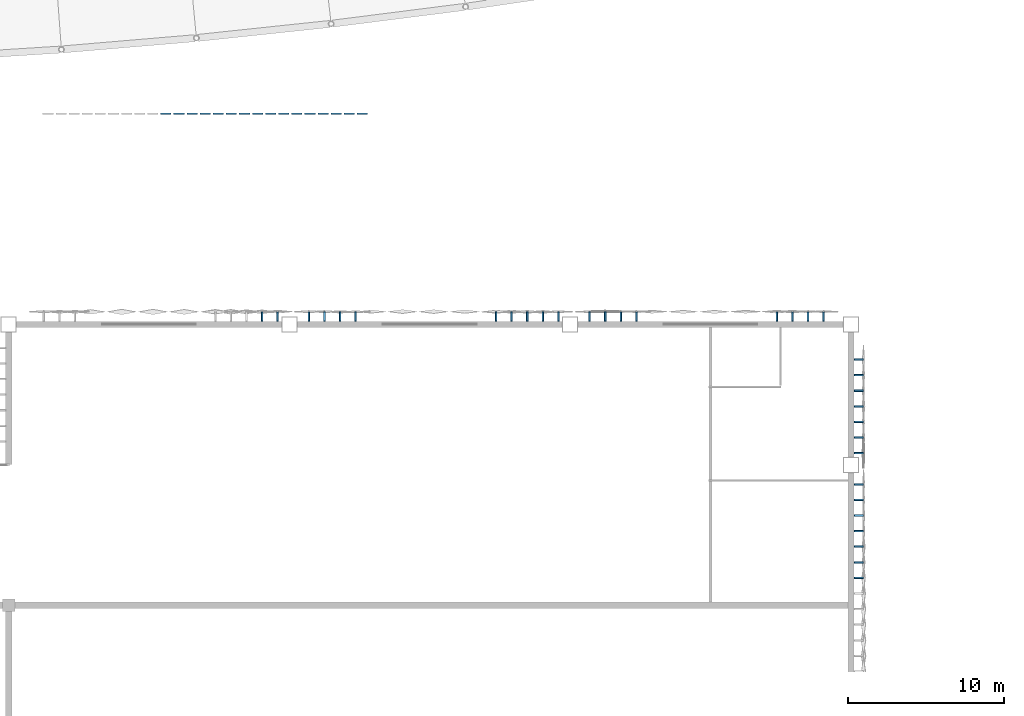
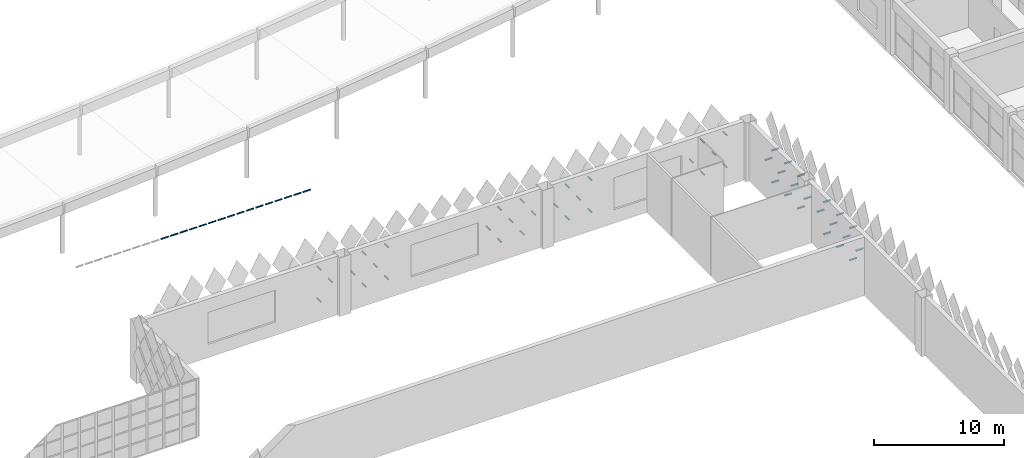
# One storey, part 148 of 185: 64 discrete accessories.
"""IFC4 building model written with IfcOpenShell, lengths in metres."""

from ifc_helpers import new_model, si_unit, direction, frame, origin, origin_2d, place, context, subcontext, project, spatial, polyline, hollow_rectangle, outline, extrude, material, material_profile, profile_set, type_object, element, save


model = new_model("IFC4")

# Units and contexts
model_context = context("Model", 3, precision=1e-05, world=origin(), true_north=direction((0.0, 1.0)))
body_context = subcontext(model_context, "Body", "Model", "MODEL_VIEW")
ifc_project = project(units=[si_unit("LENGTHUNIT", "METRE"), si_unit("AREAUNIT", "SQUARE_METRE"), si_unit("VOLUMEUNIT", "CUBIC_METRE"), si_unit("PLANEANGLEUNIT", "RADIAN"), si_unit("MASSUNIT", "GRAM", prefix="KILO")], contexts=[model_context])

# Site, building, storey
site_placement = place(None, origin())
site = spatial("IfcSite", under=ifc_project, at=site_placement, CompositionType="ELEMENT")
building_placement = place(site_placement, origin())
building = spatial("IfcBuilding", under=site, at=building_placement, Name="Opaline Strait Convention Centre", CompositionType="ELEMENT")
storey_placement = place(building_placement, frame((0.0, 0.0, 6.0)))
storey = spatial("IfcBuildingStorey", under=building, at=storey_placement, Name="L01", CompositionType="ELEMENT", Elevation=6.0)

# Discrete accessories
ifc_material = material(Name="Steel Q355B", Category="steel")
ifc_material_profile = material_profile(ifc_material, hollow_rectangle(XDim=0.10009765625, YDim=0.10009765625, WallThickness=0.006103515625, at=origin_2d()), Name="RHS 100x100x6")
ifc_profile_set = profile_set([ifc_material_profile], Name="Steel Q355B")
discrete_accessory_type_1 = type_object("IfcDiscreteAccessoryType", Name="Blade rail RHS 100x100x6", PredefinedType="BRACKET", material=ifc_profile_set)
for number, where, z_axis, x_axis, name in (
    (1, (216.739990234375, 166.5, 1.5), (1.0, 0.0, 0.0), (0.0, 1.0, 0.0), "Blade rail 1 E"),
    (2, (217.580078125, 166.5, 1.5), (1.0, 0.0, 0.0), (0.0, 1.0, 0.0), "Blade rail 1 E"),
):
    element("IfcDiscreteAccessory", number, at=place(storey_placement, frame(where, z_axis=z_axis, x_axis=x_axis)), inside=storey, type_object=discrete_accessory_type_1, Name=name, PredefinedType="BRACKET", context=body_context, shape_type="SweptSolid", body=[
        extrude(hollow_rectangle(XDim=0.10009765625, YDim=0.10009765625, WallThickness=0.006103515625, at=origin_2d()), origin(), (0.0, 0.0, 1.0), 0.679931640625),
    ])
discrete_accessory_1_placement = place(storey_placement, frame((218.419921875, 166.5, 1.5), z_axis=(1.0, 0.0, 0.0), x_axis=(0.0, 1.0, 0.0)))
element("IfcDiscreteAccessory", 3, at=discrete_accessory_1_placement, inside=storey, type_object=discrete_accessory_type_1, Name="Blade rail 1 E", PredefinedType="BRACKET", context=body_context, shape_type="SweptSolid", body=[
    extrude(hollow_rectangle(XDim=0.10009765625, YDim=0.10009765625, WallThickness=0.006103515625, at=origin_2d()), origin(), (0.0, 0.0, 1.0), 0.68017578125),
])
for number, where, z_axis, x_axis, name in (
    (4, (219.260009765625, 166.5, 1.5), (1.0, 0.0, 0.0), (0.0, 1.0, 0.0), "Blade rail 1 E"),
    (5, (220.10009765625, 166.5, 1.5), (1.0, 0.0, 0.0), (0.0, 1.0, 0.0), "Blade rail 1 E"),
):
    element("IfcDiscreteAccessory", number, at=place(storey_placement, frame(where, z_axis=z_axis, x_axis=x_axis)), inside=storey, type_object=discrete_accessory_type_1, Name=name, PredefinedType="BRACKET", context=body_context, shape_type="SweptSolid", body=[
        extrude(hollow_rectangle(XDim=0.10009765625, YDim=0.10009765625, WallThickness=0.006103515625, at=origin_2d()), origin(), (0.0, 0.0, 1.0), 0.679931640625),
    ])
discrete_accessory_2_placement = place(storey_placement, frame((220.93994140625, 166.5, 1.5), z_axis=(1.0, 0.0, 0.0), x_axis=(0.0, 1.0, 0.0)))
element("IfcDiscreteAccessory", 6, at=discrete_accessory_2_placement, inside=storey, type_object=discrete_accessory_type_1, Name="Blade rail 1 E", PredefinedType="BRACKET", context=body_context, shape_type="SweptSolid", body=[
    extrude(hollow_rectangle(XDim=0.10009765625, YDim=0.10009765625, WallThickness=0.006103515625, at=origin_2d()), origin(), (0.0, 0.0, 1.0), 0.68017578125),
])
for number, where, z_axis, x_axis, name in (
    (7, (221.780029296875, 166.5, 1.5), (1.0, 0.0, 0.0), (0.0, 1.0, 0.0), "Blade rail 1 E"),
    (8, (222.6201171875, 166.5, 1.5), (1.0, 0.0, 0.0), (0.0, 1.0, 0.0), "Blade rail 1 E"),
    (9, (223.4599609375, 166.5, 1.5), (1.0, 0.0, 0.0), (0.0, 1.0, 0.0), "Blade rail 1 E"),
    (10, (224.300048828125, 166.5, 1.5), (1.0, 0.0, 0.0), (0.0, 1.0, 0.0), "Blade rail 1 E"),
):
    element("IfcDiscreteAccessory", number, at=place(storey_placement, frame(where, z_axis=z_axis, x_axis=x_axis)), inside=storey, type_object=discrete_accessory_type_1, Name=name, PredefinedType="BRACKET", context=body_context, shape_type="SweptSolid", body=[
        extrude(hollow_rectangle(XDim=0.10009765625, YDim=0.10009765625, WallThickness=0.006103515625, at=origin_2d()), origin(), (0.0, 0.0, 1.0), 0.679931640625),
    ])
discrete_accessory_3_placement = place(storey_placement, frame((225.139892578125, 166.5, 1.5), z_axis=(1.0, 0.0, 0.0), x_axis=(0.0, 1.0, 0.0)))
element("IfcDiscreteAccessory", 11, at=discrete_accessory_3_placement, inside=storey, type_object=discrete_accessory_type_1, Name="Blade rail 1 E", PredefinedType="BRACKET", context=body_context, shape_type="SweptSolid", body=[
    extrude(hollow_rectangle(XDim=0.10009765625, YDim=0.10009765625, WallThickness=0.006103515625, at=origin_2d()), origin(), (0.0, 0.0, 1.0), 0.68017578125),
])
for number, where, z_axis, x_axis, name in (
    (12, (225.97998046875, 166.5, 1.5), (1.0, 0.0, 0.0), (0.0, 1.0, 0.0), "Blade rail 1 E"),
    (13, (226.820068359375, 166.5, 1.5), (1.0, 0.0, 0.0), (0.0, 1.0, 0.0), "Blade rail 1 E"),
):
    element("IfcDiscreteAccessory", number, at=place(storey_placement, frame(where, z_axis=z_axis, x_axis=x_axis)), inside=storey, type_object=discrete_accessory_type_1, Name=name, PredefinedType="BRACKET", context=body_context, shape_type="SweptSolid", body=[
        extrude(hollow_rectangle(XDim=0.10009765625, YDim=0.10009765625, WallThickness=0.006103515625, at=origin_2d()), origin(), (0.0, 0.0, 1.0), 0.679931640625),
    ])
discrete_accessory_4_placement = place(storey_placement, frame((227.659912109375, 166.5, 1.5), z_axis=(1.0, 0.0, 0.0), x_axis=(0.0, 1.0, 0.0)))
element("IfcDiscreteAccessory", 14, at=discrete_accessory_4_placement, inside=storey, type_object=discrete_accessory_type_1, Name="Blade rail 1 E", PredefinedType="BRACKET", context=body_context, shape_type="SweptSolid", body=[
    extrude(hollow_rectangle(XDim=0.10009765625, YDim=0.10009765625, WallThickness=0.006103515625, at=origin_2d()), origin(), (0.0, 0.0, 1.0), 0.68017578125),
])
for number, where, z_axis, x_axis, name in (
    (15, (228.5, 166.5, 1.5), (1.0, 0.0, 0.0), (0.0, 1.0, 0.0), "Blade rail 1 E"),
    (16, (229.340087890625, 166.5, 1.5), (1.0, 0.0, 0.0), (0.0, 1.0, 0.0), "Blade rail 1 E"),
):
    element("IfcDiscreteAccessory", number, at=place(storey_placement, frame(where, z_axis=z_axis, x_axis=x_axis)), inside=storey, type_object=discrete_accessory_type_1, Name=name, PredefinedType="BRACKET", context=body_context, shape_type="SweptSolid", body=[
        extrude(hollow_rectangle(XDim=0.10009765625, YDim=0.10009765625, WallThickness=0.006103515625, at=origin_2d()), origin(), (0.0, 0.0, 1.0), 0.679931640625),
    ])
discrete_accessory_type_2 = type_object("IfcDiscreteAccessoryType", Name="Tile bracket 100x100 steel", PredefinedType="BRACKET", material=ifc_material)
discrete_accessory_5_placement = place(storey_placement, frame((259.300048828125, 153.199951171875, 1.39208984375), z_axis=(-1.0, 0.0, 0.0), x_axis=(0.0, -1.0, 0.0)))
element("IfcDiscreteAccessory", 17, at=discrete_accessory_5_placement, inside=storey, type_object=discrete_accessory_type_2, Name="Tile bracket XT05 N", PredefinedType="BRACKET", context=body_context, shape_type="SweptSolid", body=[
    extrude(outline(polyline([(0.0, -0.050048828125), (0.0, 0.050048828125), (-0.602294921875, 0.050048828125), (-0.597900390625, -0.050048828125), (0.0, -0.050048828125)])), origin(), (0.0, 0.0, 1.0), 0.10009765625),
])
discrete_accessory_6_placement = place(storey_placement, frame((257.300048828125, 153.199951171875, 1.39208984375), z_axis=(-1.0, 0.0, 0.0), x_axis=(0.0, -1.0, 0.0)))
element("IfcDiscreteAccessory", 18, at=discrete_accessory_6_placement, inside=storey, type_object=discrete_accessory_type_2, Name="Tile bracket XT07 N", PredefinedType="BRACKET", context=body_context, shape_type="SweptSolid", body=[
    extrude(outline(polyline([(0.0, -0.050048828125), (0.0, 0.050048828125), (-0.60302734375, 0.050048828125), (-0.596923828125, -0.050048828125), (0.0, -0.050048828125)])), origin(), (0.0, 0.0, 1.0), 0.10009765625),
])
discrete_accessory_7_placement = place(storey_placement, frame((247.300048828125, 153.199951171875, 1.39208984375), z_axis=(-1.0, 0.0, 0.0), x_axis=(0.0, -1.0, 0.0)))
element("IfcDiscreteAccessory", 19, at=discrete_accessory_7_placement, inside=storey, type_object=discrete_accessory_type_2, Name="Tile bracket XT03 N", PredefinedType="BRACKET", context=body_context, shape_type="SweptSolid", body=[
    extrude(outline(polyline([(0.0, -0.050048828125), (0.0, 0.050048828125), (-0.601318359375, 0.050048828125), (-0.5986328125, -0.050048828125), (0.0, -0.050048828125)])), origin(), (0.0, 0.0, 1.0), 0.10009765625),
])
discrete_accessory_8_placement = place(storey_placement, frame((245.300048828125, 153.199951171875, 1.39208984375), z_axis=(-1.0, 0.0, 0.0), x_axis=(0.0, -1.0, 0.0)))
element("IfcDiscreteAccessory", 20, at=discrete_accessory_8_placement, inside=storey, type_object=discrete_accessory_type_2, Name="Tile bracket XT03 N", PredefinedType="BRACKET", context=body_context, shape_type="SweptSolid", body=[
    extrude(outline(polyline([(0.0, -0.050048828125), (0.0, 0.050048828125), (-0.5986328125, 0.050048828125), (-0.601318359375, -0.050048828125), (0.0, -0.050048828125)])), origin(), (0.0, 0.0, 1.0), 0.10009765625),
])
discrete_accessory_9_placement = place(storey_placement, frame((241.300048828125, 153.199951171875, 1.39208984375), z_axis=(-1.0, 0.0, 0.0), x_axis=(0.0, -1.0, 0.0)))
element("IfcDiscreteAccessory", 21, at=discrete_accessory_9_placement, inside=storey, type_object=discrete_accessory_type_2, Name="Tile bracket XT08 N", PredefinedType="BRACKET", context=body_context, shape_type="SweptSolid", body=[
    extrude(outline(polyline([(0.0, -0.050048828125), (0.0, 0.050048828125), (-0.596435546875, 0.050048828125), (-0.603515625, -0.050048828125), (0.0, -0.050048828125)])), origin(), (0.0, 0.0, 1.0), 0.10009765625),
])
discrete_accessory_10_placement = place(storey_placement, frame((239.300048828125, 153.199951171875, 1.39208984375), z_axis=(-1.0, 0.0, 0.0), x_axis=(0.0, -1.0, 0.0)))
element("IfcDiscreteAccessory", 22, at=discrete_accessory_10_placement, inside=storey, type_object=discrete_accessory_type_2, Name="Tile bracket XT10 N", PredefinedType="BRACKET", context=body_context, shape_type="SweptSolid", body=[
    extrude(outline(polyline([(0.0, -0.050048828125), (0.0, 0.050048828125), (-0.595703125, 0.050048828125), (-0.604248046875, -0.050048828125), (0.0, -0.050048828125)])), origin(), (0.0, 0.0, 1.0), 0.10009765625),
])
discrete_accessory_11_placement = place(storey_placement, frame((229.300048828125, 153.199951171875, 1.39208984375), z_axis=(-1.0, 0.0, 0.0), x_axis=(0.0, -1.0, 0.0)))
element("IfcDiscreteAccessory", 23, at=discrete_accessory_11_placement, inside=storey, type_object=discrete_accessory_type_2, Name="Tile bracket XT04 N", PredefinedType="BRACKET", context=body_context, shape_type="SweptSolid", body=[
    extrude(outline(polyline([(0.0, -0.050048828125), (0.0, 0.050048828125), (-0.59814453125, 0.050048828125), (-0.601806640625, -0.050048828125), (0.0, -0.050048828125)])), origin(), (0.0, 0.0, 1.0), 0.10009765625),
])
discrete_accessory_12_placement = place(storey_placement, frame((227.300048828125, 153.199951171875, 1.39208984375), z_axis=(-1.0, 0.0, 0.0), x_axis=(0.0, -1.0, 0.0)))
element("IfcDiscreteAccessory", 24, at=discrete_accessory_12_placement, inside=storey, type_object=discrete_accessory_type_2, Name="Tile bracket XT05 N", PredefinedType="BRACKET", context=body_context, shape_type="SweptSolid", body=[
    extrude(outline(polyline([(0.0, -0.050048828125), (0.0, 0.050048828125), (-0.602294921875, 0.050048828125), (-0.597900390625, -0.050048828125), (0.0, -0.050048828125)])), origin(), (0.0, 0.0, 1.0), 0.10009765625),
])
discrete_accessory_13_placement = place(storey_placement, frame((223.300048828125, 153.199951171875, 1.39208984375), z_axis=(-1.0, 0.0, 0.0), x_axis=(0.0, -1.0, 0.0)))
element("IfcDiscreteAccessory", 25, at=discrete_accessory_13_placement, inside=storey, type_object=discrete_accessory_type_2, Name="Tile bracket XT10 N", PredefinedType="BRACKET", context=body_context, shape_type="SweptSolid", body=[
    extrude(outline(polyline([(0.0, -0.050048828125), (0.0, 0.050048828125), (-0.604248046875, 0.050048828125), (-0.595703125, -0.050048828125), (0.0, -0.050048828125)])), origin(), (0.0, 0.0, 1.0), 0.10009765625),
])
discrete_accessory_14_placement = place(storey_placement, frame((258.300048828125, 153.199951171875, 2.89208984375), z_axis=(-1.0, 0.0, 0.0), x_axis=(0.0, -1.0, 0.0)))
element("IfcDiscreteAccessory", 26, at=discrete_accessory_14_placement, inside=storey, type_object=discrete_accessory_type_2, Name="Tile bracket XT05 N", PredefinedType="BRACKET", context=body_context, shape_type="SweptSolid", body=[
    extrude(outline(polyline([(0.0, -0.050048828125), (0.0, 0.050048828125), (-0.602294921875, 0.050048828125), (-0.597900390625, -0.050048828125), (0.0, -0.050048828125)])), origin(), (0.0, 0.0, 1.0), 0.10009765625),
])
discrete_accessory_15_placement = place(storey_placement, frame((256.300048828125, 153.199951171875, 2.89208984375), z_axis=(-1.0, 0.0, 0.0), x_axis=(0.0, -1.0, 0.0)))
element("IfcDiscreteAccessory", 27, at=discrete_accessory_15_placement, inside=storey, type_object=discrete_accessory_type_2, Name="Tile bracket XT07 N", PredefinedType="BRACKET", context=body_context, shape_type="SweptSolid", body=[
    extrude(outline(polyline([(0.0, -0.050048828125), (0.0, 0.050048828125), (-0.60302734375, 0.050048828125), (-0.596923828125, -0.050048828125), (0.0, -0.050048828125)])), origin(), (0.0, 0.0, 1.0), 0.10009765625),
])
discrete_accessory_16_placement = place(storey_placement, frame((246.300048828125, 153.199951171875, 2.89208984375), z_axis=(-1.0, 0.0, 0.0), x_axis=(0.0, -1.0, 0.0)))
element("IfcDiscreteAccessory", 28, at=discrete_accessory_16_placement, inside=storey, type_object=discrete_accessory_type_2, Name="Tile bracket XT03 N", PredefinedType="BRACKET", context=body_context, shape_type="SweptSolid", body=[
    extrude(outline(polyline([(0.0, -0.050048828125), (0.0, 0.050048828125), (-0.601318359375, 0.050048828125), (-0.5986328125, -0.050048828125), (0.0, -0.050048828125)])), origin(), (0.0, 0.0, 1.0), 0.10009765625),
])
discrete_accessory_17_placement = place(storey_placement, frame((244.300048828125, 153.199951171875, 2.89208984375), z_axis=(-1.0, 0.0, 0.0), x_axis=(0.0, -1.0, 0.0)))
element("IfcDiscreteAccessory", 29, at=discrete_accessory_17_placement, inside=storey, type_object=discrete_accessory_type_2, Name="Tile bracket XT04 N", PredefinedType="BRACKET", context=body_context, shape_type="SweptSolid", body=[
    extrude(outline(polyline([(0.0, -0.050048828125), (0.0, 0.050048828125), (-0.59814453125, 0.050048828125), (-0.601806640625, -0.050048828125), (0.0, -0.050048828125)])), origin(), (0.0, 0.0, 1.0), 0.10009765625),
])
discrete_accessory_18_placement = place(storey_placement, frame((242.300048828125, 153.199951171875, 2.89208984375), z_axis=(-1.0, 0.0, 0.0), x_axis=(0.0, -1.0, 0.0)))
element("IfcDiscreteAccessory", 30, at=discrete_accessory_18_placement, inside=storey, type_object=discrete_accessory_type_2, Name="Tile bracket XT05 N", PredefinedType="BRACKET", context=body_context, shape_type="SweptSolid", body=[
    extrude(outline(polyline([(0.0, -0.050048828125), (0.0, 0.050048828125), (-0.597900390625, 0.050048828125), (-0.602294921875, -0.050048828125), (0.0, -0.050048828125)])), origin(), (0.0, 0.0, 1.0), 0.10009765625),
])
discrete_accessory_19_placement = place(storey_placement, frame((240.300048828125, 153.199951171875, 2.89208984375), z_axis=(-1.0, 0.0, 0.0), x_axis=(0.0, -1.0, 0.0)))
element("IfcDiscreteAccessory", 31, at=discrete_accessory_19_placement, inside=storey, type_object=discrete_accessory_type_2, Name="Tile bracket XT08 N", PredefinedType="BRACKET", context=body_context, shape_type="SweptSolid", body=[
    extrude(outline(polyline([(0.0, -0.050048828125), (0.0, 0.050048828125), (-0.596435546875, 0.050048828125), (-0.603515625, -0.050048828125), (0.0, -0.050048828125)])), origin(), (0.0, 0.0, 1.0), 0.10009765625),
])
discrete_accessory_20_placement = place(storey_placement, frame((238.300048828125, 153.199951171875, 2.89208984375), z_axis=(-1.0, 0.0, 0.0), x_axis=(0.0, -1.0, 0.0)))
element("IfcDiscreteAccessory", 32, at=discrete_accessory_20_placement, inside=storey, type_object=discrete_accessory_type_2, Name="Tile bracket XT10 N", PredefinedType="BRACKET", context=body_context, shape_type="SweptSolid", body=[
    extrude(outline(polyline([(0.0, -0.050048828125), (0.0, 0.050048828125), (-0.595703125, 0.050048828125), (-0.604248046875, -0.050048828125), (0.0, -0.050048828125)])), origin(), (0.0, 0.0, 1.0), 0.10009765625),
])
discrete_accessory_21_placement = place(storey_placement, frame((228.300048828125, 153.199951171875, 2.89208984375), z_axis=(-1.0, 0.0, 0.0), x_axis=(0.0, -1.0, 0.0)))
element("IfcDiscreteAccessory", 33, at=discrete_accessory_21_placement, inside=storey, type_object=discrete_accessory_type_2, Name="Tile bracket XT05 N", PredefinedType="BRACKET", context=body_context, shape_type="SweptSolid", body=[
    extrude(outline(polyline([(0.0, -0.050048828125), (0.0, 0.050048828125), (-0.597900390625, 0.050048828125), (-0.602294921875, -0.050048828125), (0.0, -0.050048828125)])), origin(), (0.0, 0.0, 1.0), 0.10009765625),
])
discrete_accessory_22_placement = place(storey_placement, frame((226.300048828125, 153.199951171875, 2.89208984375), z_axis=(-1.0, 0.0, 0.0), x_axis=(0.0, -1.0, 0.0)))
element("IfcDiscreteAccessory", 34, at=discrete_accessory_22_placement, inside=storey, type_object=discrete_accessory_type_2, Name="Tile bracket XT05 N", PredefinedType="BRACKET", context=body_context, shape_type="SweptSolid", body=[
    extrude(outline(polyline([(0.0, -0.050048828125), (0.0, 0.050048828125), (-0.602294921875, 0.050048828125), (-0.597900390625, -0.050048828125), (0.0, -0.050048828125)])), origin(), (0.0, 0.0, 1.0), 0.10009765625),
])
discrete_accessory_23_placement = place(storey_placement, frame((224.300048828125, 153.199951171875, 2.89208984375), z_axis=(-1.0, 0.0, 0.0), x_axis=(0.0, -1.0, 0.0)))
element("IfcDiscreteAccessory", 35, at=discrete_accessory_23_placement, inside=storey, type_object=discrete_accessory_type_2, Name="Tile bracket XT07 N", PredefinedType="BRACKET", context=body_context, shape_type="SweptSolid", body=[
    extrude(outline(polyline([(0.0, -0.050048828125), (0.0, 0.050048828125), (-0.60302734375, 0.050048828125), (-0.596923828125, -0.050048828125), (0.0, -0.050048828125)])), origin(), (0.0, 0.0, 1.0), 0.10009765625),
])
discrete_accessory_24_placement = place(storey_placement, frame((259.300048828125, 153.199951171875, 4.39208984375), z_axis=(-1.0, 0.0, 0.0), x_axis=(0.0, -1.0, 0.0)))
element("IfcDiscreteAccessory", 36, at=discrete_accessory_24_placement, inside=storey, type_object=discrete_accessory_type_2, Name="Tile bracket XT03 N", PredefinedType="BRACKET", context=body_context, shape_type="SweptSolid", body=[
    extrude(outline(polyline([(0.0, -0.050048828125), (0.0, 0.050048828125), (-0.601318359375, 0.050048828125), (-0.5986328125, -0.050048828125), (0.0, -0.050048828125)])), origin(), (0.0, 0.0, 1.0), 0.10009765625),
])
for number, where, z_axis, x_axis, name in (
    (37, (257.300048828125, 153.199951171875, 4.39208984375), (-1.0, 0.0, 0.0), (0.0, -1.0, 0.0), "Tile bracket XT05 N"),
    (38, (247.300048828125, 153.199951171875, 4.39208984375), (-1.0, 0.0, 0.0), (0.0, -1.0, 0.0), "Tile bracket XT05 N"),
):
    element("IfcDiscreteAccessory", number, at=place(storey_placement, frame(where, z_axis=z_axis, x_axis=x_axis)), inside=storey, type_object=discrete_accessory_type_2, Name=name, PredefinedType="BRACKET", context=body_context, shape_type="SweptSolid", body=[
        extrude(outline(polyline([(0.0, -0.050048828125), (0.0, 0.050048828125), (-0.602294921875, 0.050048828125), (-0.597900390625, -0.050048828125), (0.0, -0.050048828125)])), origin(), (0.0, 0.0, 1.0), 0.10009765625),
    ])
discrete_accessory_25_placement = place(storey_placement, frame((245.300048828125, 153.199951171875, 4.39208984375), z_axis=(-1.0, 0.0, 0.0), x_axis=(0.0, -1.0, 0.0)))
element("IfcDiscreteAccessory", 39, at=discrete_accessory_25_placement, inside=storey, type_object=discrete_accessory_type_2, Name="Tile bracket XT03 N", PredefinedType="BRACKET", context=body_context, shape_type="SweptSolid", body=[
    extrude(outline(polyline([(0.0, -0.050048828125), (0.0, 0.050048828125), (-0.601318359375, 0.050048828125), (-0.5986328125, -0.050048828125), (0.0, -0.050048828125)])), origin(), (0.0, 0.0, 1.0), 0.10009765625),
])
discrete_accessory_26_placement = place(storey_placement, frame((241.300048828125, 153.199951171875, 4.39208984375), z_axis=(-1.0, 0.0, 0.0), x_axis=(0.0, -1.0, 0.0)))
element("IfcDiscreteAccessory", 40, at=discrete_accessory_26_placement, inside=storey, type_object=discrete_accessory_type_2, Name="Tile bracket XT05 N", PredefinedType="BRACKET", context=body_context, shape_type="SweptSolid", body=[
    extrude(outline(polyline([(0.0, -0.050048828125), (0.0, 0.050048828125), (-0.597900390625, 0.050048828125), (-0.602294921875, -0.050048828125), (0.0, -0.050048828125)])), origin(), (0.0, 0.0, 1.0), 0.10009765625),
])
discrete_accessory_27_placement = place(storey_placement, frame((239.300048828125, 153.199951171875, 4.39208984375), z_axis=(-1.0, 0.0, 0.0), x_axis=(0.0, -1.0, 0.0)))
element("IfcDiscreteAccessory", 41, at=discrete_accessory_27_placement, inside=storey, type_object=discrete_accessory_type_2, Name="Tile bracket XT08 N", PredefinedType="BRACKET", context=body_context, shape_type="SweptSolid", body=[
    extrude(outline(polyline([(0.0, -0.050048828125), (0.0, 0.050048828125), (-0.596435546875, 0.050048828125), (-0.603515625, -0.050048828125), (0.0, -0.050048828125)])), origin(), (0.0, 0.0, 1.0), 0.10009765625),
])
discrete_accessory_28_placement = place(storey_placement, frame((229.300048828125, 153.199951171875, 4.39208984375), z_axis=(-1.0, 0.0, 0.0), x_axis=(0.0, -1.0, 0.0)))
element("IfcDiscreteAccessory", 42, at=discrete_accessory_28_placement, inside=storey, type_object=discrete_accessory_type_2, Name="Tile bracket XT06 N", PredefinedType="BRACKET", context=body_context, shape_type="SweptSolid", body=[
    extrude(outline(polyline([(0.0, -0.050048828125), (0.0, 0.050048828125), (-0.597412109375, 0.050048828125), (-0.6025390625, -0.050048828125), (0.0, -0.050048828125)])), origin(), (0.0, 0.0, 1.0), 0.10009765625),
])
discrete_accessory_29_placement = place(storey_placement, frame((227.300048828125, 153.199951171875, 4.39208984375), z_axis=(-1.0, 0.0, 0.0), x_axis=(0.0, -1.0, 0.0)))
element("IfcDiscreteAccessory", 43, at=discrete_accessory_29_placement, inside=storey, type_object=discrete_accessory_type_2, Name="Tile bracket XT05 N", PredefinedType="BRACKET", context=body_context, shape_type="SweptSolid", body=[
    extrude(outline(polyline([(0.0, -0.050048828125), (0.0, 0.050048828125), (-0.597900390625, 0.050048828125), (-0.602294921875, -0.050048828125), (0.0, -0.050048828125)])), origin(), (0.0, 0.0, 1.0), 0.10009765625),
])
discrete_accessory_30_placement = place(storey_placement, frame((223.300048828125, 153.199951171875, 4.39208984375), z_axis=(-1.0, 0.0, 0.0), x_axis=(0.0, -1.0, 0.0)))
element("IfcDiscreteAccessory", 44, at=discrete_accessory_30_placement, inside=storey, type_object=discrete_accessory_type_2, Name="Tile bracket XT06 N", PredefinedType="BRACKET", context=body_context, shape_type="SweptSolid", body=[
    extrude(outline(polyline([(0.0, -0.050048828125), (0.0, 0.050048828125), (-0.6025390625, 0.050048828125), (-0.597412109375, -0.050048828125), (0.0, -0.050048828125)])), origin(), (0.0, 0.0, 1.0), 0.10009765625),
])
discrete_accessory_31_placement = place(storey_placement, frame((261.199951171875, 137.699951171875, 1.39208984375), z_axis=(0.0, 1.0, 0.0), x_axis=(-1.0, 0.0, 0.0)))
element("IfcDiscreteAccessory", 45, at=discrete_accessory_31_placement, inside=storey, type_object=discrete_accessory_type_2, Name="Tile bracket XT05 E", PredefinedType="BRACKET", context=body_context, shape_type="SweptSolid", body=[
    extrude(outline(polyline([(0.0, -0.050048828125), (0.0, 0.050048828125), (-0.602294921875, 0.050048828125), (-0.597900390625, -0.050048828125), (0.0, -0.050048828125)])), origin(), (0.0, 0.0, 1.0), 0.10009765625),
])
discrete_accessory_32_placement = place(storey_placement, frame((261.199951171875, 139.699951171875, 1.39208984375), z_axis=(0.0, 1.0, 0.0), x_axis=(-1.0, 0.0, 0.0)))
element("IfcDiscreteAccessory", 46, at=discrete_accessory_32_placement, inside=storey, type_object=discrete_accessory_type_2, Name="Tile bracket XT04 E", PredefinedType="BRACKET", context=body_context, shape_type="SweptSolid", body=[
    extrude(outline(polyline([(0.0, -0.050048828125), (0.0, 0.050048828125), (-0.601806640625, 0.050048828125), (-0.59814453125, -0.050048828125), (0.0, -0.050048828125)])), origin(), (0.0, 0.0, 1.0), 0.10009765625),
])
discrete_accessory_33_placement = place(storey_placement, frame((261.199951171875, 141.699951171875, 1.39208984375), z_axis=(0.0, 1.0, 0.0), x_axis=(-1.0, 0.0, 0.0)))
element("IfcDiscreteAccessory", 47, at=discrete_accessory_33_placement, inside=storey, type_object=discrete_accessory_type_2, Name="Tile bracket XT04 E", PredefinedType="BRACKET", context=body_context, shape_type="SweptSolid", body=[
    extrude(outline(polyline([(0.0, -0.050048828125), (0.0, 0.050048828125), (-0.59814453125, 0.050048828125), (-0.601806640625, -0.050048828125), (0.0, -0.050048828125)])), origin(), (0.0, 0.0, 1.0), 0.10009765625),
])
discrete_accessory_34_placement = place(storey_placement, frame((261.199951171875, 145.699951171875, 1.39208984375), z_axis=(0.0, 1.0, 0.0), x_axis=(-1.0, 0.0, 0.0)))
element("IfcDiscreteAccessory", 48, at=discrete_accessory_34_placement, inside=storey, type_object=discrete_accessory_type_2, Name="Tile bracket XT07 E", PredefinedType="BRACKET", context=body_context, shape_type="SweptSolid", body=[
    extrude(outline(polyline([(0.0, -0.050048828125), (0.0, 0.050048828125), (-0.596923828125, 0.050048828125), (-0.60302734375, -0.050048828125), (0.0, -0.050048828125)])), origin(), (0.0, 0.0, 1.0), 0.10009765625),
])
discrete_accessory_35_placement = place(storey_placement, frame((261.199951171875, 147.699951171875, 1.39208984375), z_axis=(0.0, 1.0, 0.0), x_axis=(-1.0, 0.0, 0.0)))
element("IfcDiscreteAccessory", 49, at=discrete_accessory_35_placement, inside=storey, type_object=discrete_accessory_type_2, Name="Tile bracket XT08 E", PredefinedType="BRACKET", context=body_context, shape_type="SweptSolid", body=[
    extrude(outline(polyline([(0.0, -0.050048828125), (0.0, 0.050048828125), (-0.596435546875, 0.050048828125), (-0.603515625, -0.050048828125), (0.0, -0.050048828125)])), origin(), (0.0, 0.0, 1.0), 0.10009765625),
])
discrete_accessory_36_placement = place(storey_placement, frame((261.199951171875, 149.699951171875, 1.39208984375), z_axis=(0.0, 1.0, 0.0), x_axis=(-1.0, 0.0, 0.0)))
element("IfcDiscreteAccessory", 50, at=discrete_accessory_36_placement, inside=storey, type_object=discrete_accessory_type_2, Name="Tile bracket XT07 E", PredefinedType="BRACKET", context=body_context, shape_type="SweptSolid", body=[
    extrude(outline(polyline([(0.0, -0.050048828125), (0.0, 0.050048828125), (-0.596923828125, 0.050048828125), (-0.60302734375, -0.050048828125), (0.0, -0.050048828125)])), origin(), (0.0, 0.0, 1.0), 0.10009765625),
])
discrete_accessory_37_placement = place(storey_placement, frame((261.199951171875, 136.699951171875, 2.89208984375), z_axis=(0.0, 1.0, 0.0), x_axis=(-1.0, 0.0, 0.0)))
element("IfcDiscreteAccessory", 51, at=discrete_accessory_37_placement, inside=storey, type_object=discrete_accessory_type_2, Name="Tile bracket XT08 E", PredefinedType="BRACKET", context=body_context, shape_type="SweptSolid", body=[
    extrude(outline(polyline([(0.0, -0.050048828125), (0.0, 0.050048828125), (-0.603515625, 0.050048828125), (-0.596435546875, -0.050048828125), (0.0, -0.050048828125)])), origin(), (0.0, 0.0, 1.0), 0.10009765625),
])
discrete_accessory_38_placement = place(storey_placement, frame((261.199951171875, 138.699951171875, 2.89208984375), z_axis=(0.0, 1.0, 0.0), x_axis=(-1.0, 0.0, 0.0)))
element("IfcDiscreteAccessory", 52, at=discrete_accessory_38_placement, inside=storey, type_object=discrete_accessory_type_2, Name="Tile bracket XT05 E", PredefinedType="BRACKET", context=body_context, shape_type="SweptSolid", body=[
    extrude(outline(polyline([(0.0, -0.050048828125), (0.0, 0.050048828125), (-0.602294921875, 0.050048828125), (-0.597900390625, -0.050048828125), (0.0, -0.050048828125)])), origin(), (0.0, 0.0, 1.0), 0.10009765625),
])
discrete_accessory_39_placement = place(storey_placement, frame((261.199951171875, 140.699951171875, 2.89208984375), z_axis=(0.0, 1.0, 0.0), x_axis=(-1.0, 0.0, 0.0)))
element("IfcDiscreteAccessory", 53, at=discrete_accessory_39_placement, inside=storey, type_object=discrete_accessory_type_2, Name="Tile bracket XT04 E", PredefinedType="BRACKET", context=body_context, shape_type="SweptSolid", body=[
    extrude(outline(polyline([(0.0, -0.050048828125), (0.0, 0.050048828125), (-0.601806640625, 0.050048828125), (-0.59814453125, -0.050048828125), (0.0, -0.050048828125)])), origin(), (0.0, 0.0, 1.0), 0.10009765625),
])
discrete_accessory_40_placement = place(storey_placement, frame((261.199951171875, 142.699951171875, 2.89208984375), z_axis=(0.0, 1.0, 0.0), x_axis=(-1.0, 0.0, 0.0)))
element("IfcDiscreteAccessory", 54, at=discrete_accessory_40_placement, inside=storey, type_object=discrete_accessory_type_2, Name="Tile bracket XT04 E", PredefinedType="BRACKET", context=body_context, shape_type="SweptSolid", body=[
    extrude(outline(polyline([(0.0, -0.050048828125), (0.0, 0.050048828125), (-0.59814453125, 0.050048828125), (-0.601806640625, -0.050048828125), (0.0, -0.050048828125)])), origin(), (0.0, 0.0, 1.0), 0.10009765625),
])
discrete_accessory_41_placement = place(storey_placement, frame((261.199951171875, 144.699951171875, 2.89208984375), z_axis=(0.0, 1.0, 0.0), x_axis=(-1.0, 0.0, 0.0)))
element("IfcDiscreteAccessory", 55, at=discrete_accessory_41_placement, inside=storey, type_object=discrete_accessory_type_2, Name="Tile bracket XT05 E", PredefinedType="BRACKET", context=body_context, shape_type="SweptSolid", body=[
    extrude(outline(polyline([(0.0, -0.050048828125), (0.0, 0.050048828125), (-0.597900390625, 0.050048828125), (-0.602294921875, -0.050048828125), (0.0, -0.050048828125)])), origin(), (0.0, 0.0, 1.0), 0.10009765625),
])
discrete_accessory_42_placement = place(storey_placement, frame((261.199951171875, 146.699951171875, 2.89208984375), z_axis=(0.0, 1.0, 0.0), x_axis=(-1.0, 0.0, 0.0)))
element("IfcDiscreteAccessory", 56, at=discrete_accessory_42_placement, inside=storey, type_object=discrete_accessory_type_2, Name="Tile bracket XT06 E", PredefinedType="BRACKET", context=body_context, shape_type="SweptSolid", body=[
    extrude(outline(polyline([(0.0, -0.050048828125), (0.0, 0.050048828125), (-0.597412109375, 0.050048828125), (-0.6025390625, -0.050048828125), (0.0, -0.050048828125)])), origin(), (0.0, 0.0, 1.0), 0.10009765625),
])
for number, where, z_axis, x_axis, name in (
    (57, (261.199951171875, 148.699951171875, 2.89208984375), (0.0, 1.0, 0.0), (-1.0, 0.0, 0.0), "Tile bracket XT07 E"),
    (58, (261.199951171875, 150.699951171875, 2.89208984375), (0.0, 1.0, 0.0), (-1.0, 0.0, 0.0), "Tile bracket XT07 E"),
):
    element("IfcDiscreteAccessory", number, at=place(storey_placement, frame(where, z_axis=z_axis, x_axis=x_axis)), inside=storey, type_object=discrete_accessory_type_2, Name=name, PredefinedType="BRACKET", context=body_context, shape_type="SweptSolid", body=[
        extrude(outline(polyline([(0.0, -0.050048828125), (0.0, 0.050048828125), (-0.596923828125, 0.050048828125), (-0.60302734375, -0.050048828125), (0.0, -0.050048828125)])), origin(), (0.0, 0.0, 1.0), 0.10009765625),
    ])
discrete_accessory_43_placement = place(storey_placement, frame((261.199951171875, 137.699951171875, 4.39208984375), z_axis=(0.0, 1.0, 0.0), x_axis=(-1.0, 0.0, 0.0)))
element("IfcDiscreteAccessory", 59, at=discrete_accessory_43_placement, inside=storey, type_object=discrete_accessory_type_2, Name="Tile bracket XT08 E", PredefinedType="BRACKET", context=body_context, shape_type="SweptSolid", body=[
    extrude(outline(polyline([(0.0, -0.050048828125), (0.0, 0.050048828125), (-0.603515625, 0.050048828125), (-0.596435546875, -0.050048828125), (0.0, -0.050048828125)])), origin(), (0.0, 0.0, 1.0), 0.10009765625),
])
discrete_accessory_44_placement = place(storey_placement, frame((261.199951171875, 139.699951171875, 4.39208984375), z_axis=(0.0, 1.0, 0.0), x_axis=(-1.0, 0.0, 0.0)))
element("IfcDiscreteAccessory", 60, at=discrete_accessory_44_placement, inside=storey, type_object=discrete_accessory_type_2, Name="Tile bracket XT05 E", PredefinedType="BRACKET", context=body_context, shape_type="SweptSolid", body=[
    extrude(outline(polyline([(0.0, -0.050048828125), (0.0, 0.050048828125), (-0.602294921875, 0.050048828125), (-0.597900390625, -0.050048828125), (0.0, -0.050048828125)])), origin(), (0.0, 0.0, 1.0), 0.10009765625),
])
discrete_accessory_45_placement = place(storey_placement, frame((261.199951171875, 141.699951171875, 4.39208984375), z_axis=(0.0, 1.0, 0.0), x_axis=(-1.0, 0.0, 0.0)))
element("IfcDiscreteAccessory", 61, at=discrete_accessory_45_placement, inside=storey, type_object=discrete_accessory_type_2, Name="Tile bracket XT04 E", PredefinedType="BRACKET", context=body_context, shape_type="SweptSolid", body=[
    extrude(outline(polyline([(0.0, -0.050048828125), (0.0, 0.050048828125), (-0.601806640625, 0.050048828125), (-0.59814453125, -0.050048828125), (0.0, -0.050048828125)])), origin(), (0.0, 0.0, 1.0), 0.10009765625),
])
discrete_accessory_46_placement = place(storey_placement, frame((261.199951171875, 145.699951171875, 4.39208984375), z_axis=(0.0, 1.0, 0.0), x_axis=(-1.0, 0.0, 0.0)))
element("IfcDiscreteAccessory", 62, at=discrete_accessory_46_placement, inside=storey, type_object=discrete_accessory_type_2, Name="Tile bracket XT04 E", PredefinedType="BRACKET", context=body_context, shape_type="SweptSolid", body=[
    extrude(outline(polyline([(0.0, -0.050048828125), (0.0, 0.050048828125), (-0.59814453125, 0.050048828125), (-0.601806640625, -0.050048828125), (0.0, -0.050048828125)])), origin(), (0.0, 0.0, 1.0), 0.10009765625),
])
discrete_accessory_47_placement = place(storey_placement, frame((261.199951171875, 147.699951171875, 4.39208984375), z_axis=(0.0, 1.0, 0.0), x_axis=(-1.0, 0.0, 0.0)))
element("IfcDiscreteAccessory", 63, at=discrete_accessory_47_placement, inside=storey, type_object=discrete_accessory_type_2, Name="Tile bracket XT06 E", PredefinedType="BRACKET", context=body_context, shape_type="SweptSolid", body=[
    extrude(outline(polyline([(0.0, -0.050048828125), (0.0, 0.050048828125), (-0.597412109375, 0.050048828125), (-0.6025390625, -0.050048828125), (0.0, -0.050048828125)])), origin(), (0.0, 0.0, 1.0), 0.10009765625),
])
discrete_accessory_48_placement = place(storey_placement, frame((261.199951171875, 149.699951171875, 4.39208984375), z_axis=(0.0, 1.0, 0.0), x_axis=(-1.0, 0.0, 0.0)))
element("IfcDiscreteAccessory", 64, at=discrete_accessory_48_placement, inside=storey, type_object=discrete_accessory_type_2, Name="Tile bracket XT07 E", PredefinedType="BRACKET", context=body_context, shape_type="SweptSolid", body=[
    extrude(outline(polyline([(0.0, -0.050048828125), (0.0, 0.050048828125), (-0.596923828125, 0.050048828125), (-0.60302734375, -0.050048828125), (0.0, -0.050048828125)])), origin(), (0.0, 0.0, 1.0), 0.10009765625),
])

save(model, "model.ifc")
